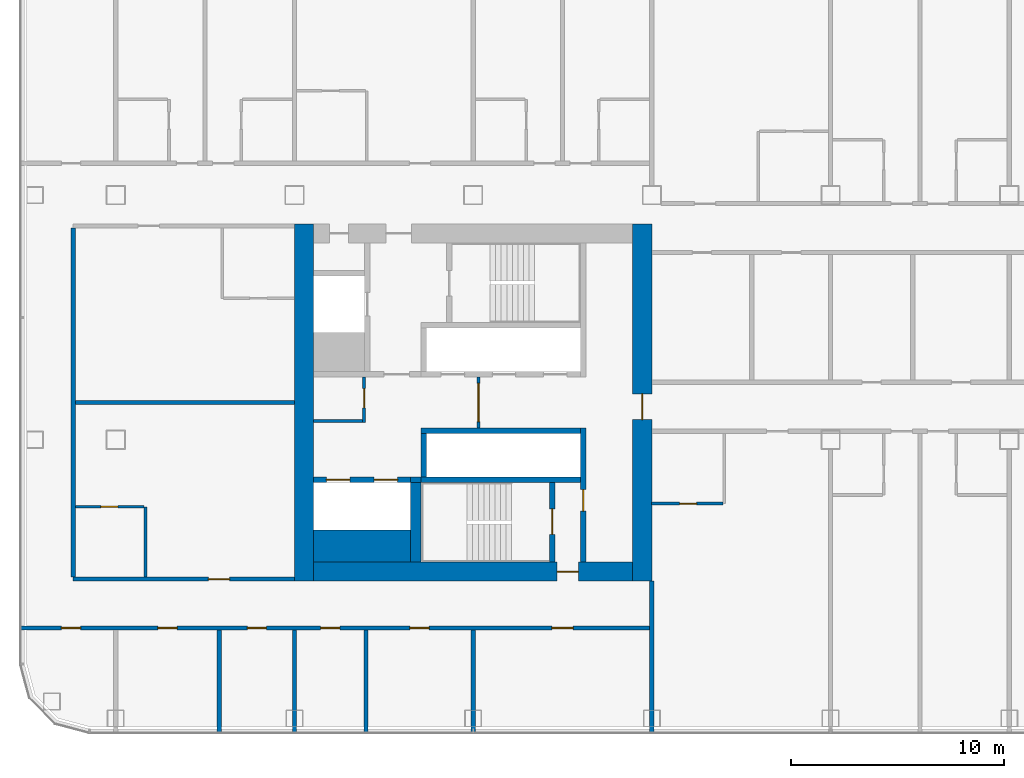
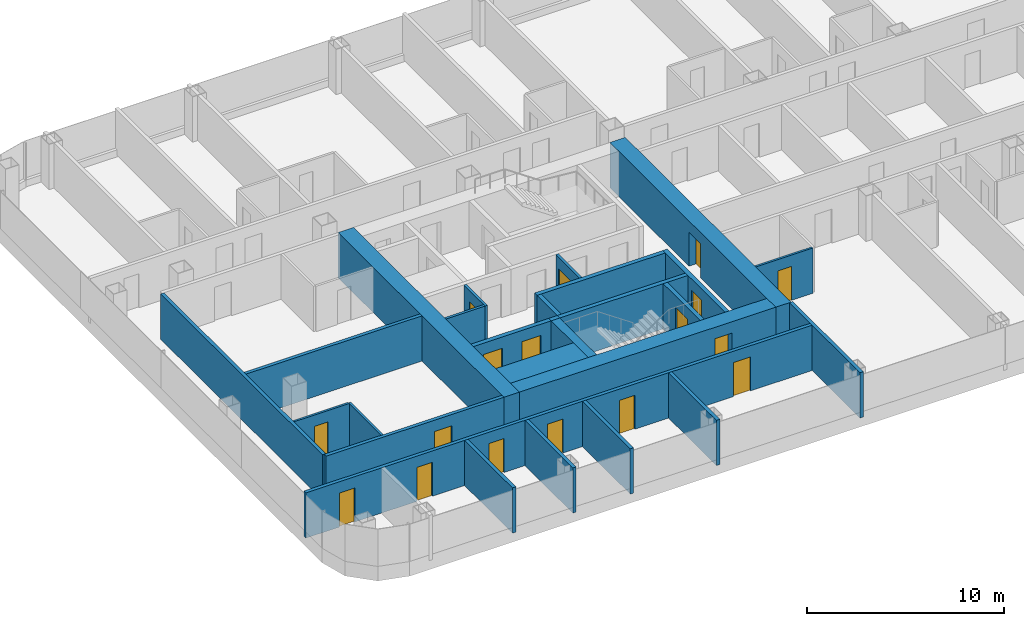
# One storey, part 15 of 29: 27 walls, 17 doors, 17 openings.
"""IFC4 building model written with IfcOpenShell, lengths in metres."""

from ifc_helpers import new_model, si_unit, direction, frame, frame_2d, origin, place, context, subcontext, project, spatial, rectangle, extrude, material, layer, layer_set, type_object, element, fill, save


model = new_model("IFC4")

# Units and contexts
model_context = context("Model", 3, precision=1e-05, world=origin(), true_north=direction((0.0, 1.0)))
body_context = subcontext(model_context, "Body", "Model", "MODEL_VIEW")
ifc_project = project(units=[si_unit("LENGTHUNIT", "METRE"), si_unit("AREAUNIT", "SQUARE_METRE"), si_unit("VOLUMEUNIT", "CUBIC_METRE"), si_unit("PLANEANGLEUNIT", "RADIAN"), si_unit("MASSUNIT", "GRAM", prefix="KILO")], contexts=[model_context])

# Site, building, storey
site_placement = place(None, origin())
site = spatial("IfcSite", under=ifc_project, at=site_placement, CompositionType="ELEMENT")
building_placement = place(site_placement, origin())
building = spatial("IfcBuilding", under=site, at=building_placement, Name="Hakoniwa Tower and Hamabe Station Hall", CompositionType="ELEMENT")
storey_placement = place(building_placement, frame((0.0, 0.0, 113.800048828125)))
storey = spatial("IfcBuildingStorey", under=building, at=storey_placement, Name="L32", CompositionType="ELEMENT", Elevation=113.800048828125)

# Wall, opening, door
ifc_material_1 = material(Name="Gypsum board partition", Category="gypsum")
ifc_layer_1 = layer(ifc_material_1, 0.125)
ifc_layer_set_1 = layer_set([ifc_layer_1], Name="Bathroom Partition 125")
wall_type_1 = type_object("IfcWallType", Name="Bathroom Partition 125", PredefinedType="PARTITIONING", material=ifc_layer_set_1)
wall_1_placement = place(storey_placement, frame((-43.89990234375, -4.89990234375, 0.0), z_axis=(0.0, 0.0, 1.0), x_axis=(1.0, 0.0, 0.0)))
wall_1 = element("IfcWall", 1, at=wall_1_placement, inside=storey, type_object=wall_type_1, Name="GW-L32-005", PredefinedType="PARTITIONING", context=body_context, shape_type="SweptSolid", body=[
    extrude(rectangle(XDim=3.2373046875, YDim=0.125, at=frame_2d((1.61865234375, 0.0))), origin(), (0.0, 0.0, 1.0), 2.800048828125),
])
opening_1_placement = place(wall_1_placement, frame((1.199951171875, 0.0, 0.0)))
opening_1 = element("IfcOpeningElement", 2, at=opening_1_placement, cuts=wall_1, Name="Opening GD-G2C2-14", PredefinedType="OPENING", context=body_context, shape_type="SweptSolid", body=[
    extrude(rectangle(XDim=0.800048828125, YDim=2.10009765625, at=frame_2d((0.39990234375, 1.050048828125))), frame((0.0, 0.072509765625, 0.0), z_axis=(0.0, -1.0, 0.0), x_axis=(1.0, 0.0, 0.0)), (0.0, 0.0, 1.0), 0.14501953125),
])
ifc_material_2 = material(Name="Timber door leaf", Category="wood")
door_type_1 = type_object("IfcDoorType", Name="Bathroom Door 800", OperationType="SINGLE_SWING_LEFT", PredefinedType="DOOR", material=ifc_material_2)
door_1_placement = place(opening_1_placement, origin())
door_1 = element("IfcDoor", 3, at=door_1_placement, inside=storey, type_object=door_type_1, Name="Door GD-G2C2-14", OperationType="SINGLE_SWING_RIGHT", OverallHeight=2.10009765625, OverallWidth=0.800048828125, PredefinedType="DOOR", context=body_context, shape_type="SweptSolid", body=[
    extrude(rectangle(XDim=0.800048828125, YDim=2.10009765625, at=frame_2d((0.39990234375, 1.050048828125))), frame((0.0, 0.02490234375, 0.0), z_axis=(0.0, -1.0, 0.0), x_axis=(1.0, 0.0, 0.0)), (0.0, 0.0, 1.0), 0.050048828125),
])
fill(opening_1, door_1)

wall_2_placement = place(storey_placement, frame((-16.81005859375, -4.75, 0.0), z_axis=(0.0, 0.0, 1.0), x_axis=(1.0, 0.0, 0.0)))
wall_2 = element("IfcWall", 4, at=wall_2_placement, inside=storey, type_object=wall_type_1, Name="GW-L32-007", PredefinedType="PARTITIONING", context=body_context, shape_type="SweptSolid", body=[
    extrude(rectangle(XDim=3.34765625, YDim=0.125, at=frame_2d((1.673828125, 0.0))), origin(), (0.0, 0.0, 1.0), 2.800048828125),
])
opening_2_placement = place(wall_2_placement, frame((1.31005859375, 0.0, 0.0)))
opening_2 = element("IfcOpeningElement", 5, at=opening_2_placement, cuts=wall_2, Name="Opening GD-G2C2-16", PredefinedType="OPENING", context=body_context, shape_type="SweptSolid", body=[
    extrude(rectangle(XDim=0.800048828125, YDim=2.10009765625, at=frame_2d((0.39990234375, 1.050048828125))), frame((0.0, 0.072509765625, 0.0), z_axis=(0.0, -1.0, 0.0), x_axis=(1.0, 0.0, 0.0)), (0.0, 0.0, 1.0), 0.14501953125),
])
door_2_placement = place(opening_2_placement, origin())
door_2 = element("IfcDoor", 6, at=door_2_placement, inside=storey, type_object=door_type_1, Name="Door GD-G2C2-16", OperationType="SINGLE_SWING_LEFT", OverallHeight=2.10009765625, OverallWidth=0.800048828125, PredefinedType="DOOR", context=body_context, shape_type="SweptSolid", body=[
    extrude(rectangle(XDim=0.800048828125, YDim=2.10009765625, at=frame_2d((0.39990234375, 1.050048828125))), frame((0.0, 0.02490234375, 0.0), z_axis=(0.0, -1.0, 0.0), x_axis=(1.0, 0.0, 0.0)), (0.0, 0.0, 1.0), 0.050048828125),
])
fill(opening_2, door_2)

# Wall
wall_3_placement = place(storey_placement, frame((-40.60009765625, -8.199951171875, 0.0), z_axis=(0.0, 0.0, 1.0), x_axis=(0.0, 1.0, 0.0)))
element("IfcWall", 7, at=wall_3_placement, inside=storey, type_object=wall_type_1, Name="GW-L32-039", PredefinedType="PARTITIONING", context=body_context, shape_type="SweptSolid", body=[
    extrude(rectangle(XDim=3.300048828125, YDim=0.125, at=frame_2d((1.64990234375, 0.0))), origin(), (0.0, 0.0, 1.0), 2.800048828125),
])

# Wall, opening, door
ifc_material_3 = material(Name="Gypsum board partition")
ifc_layer_2 = layer(ifc_material_3, 0.14990234375)
ifc_layer_set_2 = layer_set([ifc_layer_2], Name="CORE PARTITION 150 EI 60")
wall_type_2 = type_object("IfcWallType", Name="CORE PARTITION 150 EI 60", PredefinedType="PARTITIONING", material=ifc_layer_set_2)
wall_4_placement = place(storey_placement, frame((-24.949951171875, -1.199951171875, 0.0), z_axis=(0.0, 0.0, 1.0), x_axis=(0.0, 1.0, 0.0)))
wall_4 = element("IfcWall", 8, at=wall_4_placement, inside=storey, type_object=wall_type_2, Name="Core partition PL0 west", PredefinedType="PARTITIONING", context=body_context, shape_type="SweptSolid", body=[
    extrude(rectangle(XDim=2.39990234375, YDim=0.14990234375, at=frame_2d((1.199951171875, 0.0))), origin(), (0.0, 0.0, 1.0), 2.800048828125),
])
opening_3_placement = place(wall_4_placement, frame((0.300048828125, 0.0, 0.0)))
opening_3 = element("IfcOpeningElement", 9, at=opening_3_placement, cuts=wall_4, Name="Opening CD-W-LP0-18", PredefinedType="OPENING", context=body_context, shape_type="SweptSolid", body=[
    extrude(rectangle(XDim=1.800048828125, YDim=2.10009765625, at=frame_2d((0.89990234375, 1.050048828125))), frame((0.0, 0.0849609375, 0.0), z_axis=(0.0, -1.0, 0.0), x_axis=(1.0, 0.0, 0.0)), (0.0, 0.0, 1.0), 0.169921875),
])
ifc_material_4 = material(Name="Steel fire door", Category="steel")
door_type_2 = type_object("IfcDoorType", Name="CORE DOOR 1800 FD60", OperationType="DOUBLE_DOOR_SINGLE_SWING", PredefinedType="DOOR", material=ifc_material_4)
door_3_placement = place(opening_3_placement, origin())
door_3 = element("IfcDoor", 10, at=door_3_placement, inside=storey, type_object=door_type_2, Name="Lift lobby partition door", OperationType="DOUBLE_DOOR_SINGLE_SWING", OverallHeight=2.10009765625, OverallWidth=1.800048828125, PredefinedType="DOOR", context=body_context, shape_type="SweptSolid", body=[
    extrude(rectangle(XDim=1.800048828125, YDim=2.10009765625, at=frame_2d((0.89990234375, 1.050048828125))), frame((0.0, 0.02490234375, 0.0), z_axis=(0.0, -1.0, 0.0), x_axis=(1.0, 0.0, 0.0)), (0.0, 0.0, 1.0), 0.050048828125),
])
fill(opening_3, door_3)

wall_5_placement = place(storey_placement, frame((-30.324951171875, -0.949951171875, 0.0), z_axis=(0.0, 0.0, 1.0), x_axis=(0.0, 1.0, 0.0)))
wall_5 = element("IfcWall", 11, at=wall_5_placement, inside=storey, type_object=wall_type_2, Name="Core partition PW0 west", PredefinedType="PARTITIONING", context=body_context, shape_type="SweptSolid", body=[
    extrude(rectangle(XDim=2.14990234375, YDim=0.14990234375, at=frame_2d((1.074951171875, 0.0))), origin(), (0.0, 0.0, 1.0), 2.800048828125),
])
opening_4_placement = place(wall_5_placement, frame((0.699951171875, 0.0, 0.0)))
opening_4 = element("IfcOpeningElement", 12, at=opening_4_placement, cuts=wall_5, Name="Opening CD-W-RM1-9", PredefinedType="OPENING", context=body_context, shape_type="SweptSolid", body=[
    extrude(rectangle(XDim=0.89990234375, YDim=2.10009765625, at=frame_2d((0.449951171875, 1.050048828125))), frame((0.0, 0.0849609375, 0.0), z_axis=(0.0, -1.0, 0.0), x_axis=(1.0, 0.0, 0.0)), (0.0, 0.0, 1.0), 0.169921875),
])
ifc_material_5 = material(Name="Steel fire door", Category="steel")
door_type_3 = type_object("IfcDoorType", Name="CORE DOOR 900 FD30", OperationType="NOTDEFINED", PredefinedType="DOOR", material=ifc_material_5)
door_4_placement = place(opening_4_placement, origin())
door_4 = element("IfcDoor", 13, at=door_4_placement, inside=storey, type_object=door_type_3, Name="Store room door", OperationType="SINGLE_SWING_RIGHT", OverallHeight=2.10009765625, OverallWidth=0.89990234375, PredefinedType="DOOR", context=body_context, shape_type="SweptSolid", body=[
    extrude(rectangle(XDim=0.89990234375, YDim=2.10009765625, at=frame_2d((0.449951171875, 1.050048828125))), frame((0.0, 0.02490234375, 0.0), z_axis=(0.0, -1.0, 0.0), x_axis=(1.0, 0.0, 0.0)), (0.0, 0.0, 1.0), 0.050048828125),
])
fill(opening_4, door_4)

# Wall
wall_6_placement = place(storey_placement, frame((-32.699951171875, -0.875, 0.0), z_axis=(0.0, 0.0, 1.0), x_axis=(1.0, 0.0, 0.0)))
element("IfcWall", 14, at=wall_6_placement, inside=storey, type_object=wall_type_2, Name="Core partition PS west", PredefinedType="PARTITIONING", context=body_context, shape_type="SweptSolid", body=[
    extrude(rectangle(XDim=2.300048828125, YDim=0.14990234375, at=frame_2d((1.14990234375, 0.0))), origin(), (0.0, 0.0, 1.0), 2.800048828125),
])

# Wall, opening, door
ifc_material_6 = material(Name="Concrete C72", Category="concrete")
ifc_layer_3 = layer(ifc_material_6, 0.89990234375)
ifc_layer_set_3 = layer_set([ifc_layer_3], Name="CORE WALL 900 C72")
wall_type_3 = type_object("IfcWallType", Name="CORE WALL 900 C72", PredefinedType="SHEAR", material=ifc_layer_set_3)
wall_7_placement = place(storey_placement, frame((-17.25, -8.39990234375, 0.0), z_axis=(0.0, 0.0, 1.0), x_axis=(0.0, 1.0, 0.0)))
wall_7 = element("IfcWall", 15, at=wall_7_placement, inside=storey, type_object=wall_type_3, Name="Core wall INNER west", PredefinedType="SHEAR", context=body_context, shape_type="SweptSolid", body=[
    extrude(rectangle(XDim=16.7998046875, YDim=0.89990234375, at=frame_2d((8.39990234375, 0.0))), origin(), (0.0, 0.0, 1.0), 2.800048828125),
])
opening_5_placement = place(wall_7_placement, frame((7.60009765625, 0.0, 0.0)))
opening_5 = element("IfcOpeningElement", 16, at=opening_5_placement, cuts=wall_7, Name="Opening CD-W-IN1-12", PredefinedType="OPENING", context=body_context, shape_type="SweptSolid", body=[
    extrude(rectangle(XDim=1.199951171875, YDim=2.10009765625, at=frame_2d((0.60009765625, 1.050048828125))), frame((0.0, 0.4599609375, 0.0), z_axis=(0.0, -1.0, 0.0), x_axis=(1.0, 0.0, 0.0)), (0.0, 0.0, 1.0), 0.919921875),
])
ifc_material_7 = material(Name="Steel fire door", Category="steel")
door_type_4 = type_object("IfcDoorType", Name="CORE DOOR 1200 FD60", OperationType="DOUBLE_DOOR_SINGLE_SWING", PredefinedType="DOOR", material=ifc_material_7)
door_5_placement = place(opening_5_placement, origin())
door_5 = element("IfcDoor", 17, at=door_5_placement, inside=storey, type_object=door_type_4, Name="Lift lobby door", OperationType="DOUBLE_DOOR_SINGLE_SWING", OverallHeight=2.10009765625, OverallWidth=1.199951171875, PredefinedType="DOOR", context=body_context, shape_type="SweptSolid", body=[
    extrude(rectangle(XDim=1.199951171875, YDim=2.10009765625, at=frame_2d((0.60009765625, 1.050048828125))), frame((0.0, 0.02490234375, 0.0), z_axis=(0.0, -1.0, 0.0), x_axis=(1.0, 0.0, 0.0)), (0.0, 0.0, 1.0), 0.050048828125),
])
fill(opening_5, door_5)

# Wall
wall_8_placement = place(storey_placement, frame((-33.14990234375, -8.39990234375, 0.0), z_axis=(0.0, 0.0, 1.0), x_axis=(0.0, 1.0, 0.0)))
element("IfcWall", 18, at=wall_8_placement, inside=storey, type_object=wall_type_3, Name="Core wall OUTER west", PredefinedType="SHEAR", context=body_context, shape_type="SweptSolid", body=[
    extrude(rectangle(XDim=16.7998046875, YDim=0.89990234375, at=frame_2d((8.39990234375, 0.0))), origin(), (0.0, 0.0, 1.0), 2.800048828125),
])

# Wall, opening, door
wall_9_placement = place(storey_placement, frame((-32.699951171875, -7.949951171875, 0.0), z_axis=(0.0, 0.0, 1.0), x_axis=(1.0, 0.0, 0.0)))
wall_9 = element("IfcWall", 19, at=wall_9_placement, inside=storey, type_object=wall_type_3, Name="Core wall SOUTH west", PredefinedType="SHEAR", context=body_context, shape_type="SweptSolid", body=[
    extrude(rectangle(XDim=15.0, YDim=0.89990234375, at=frame_2d((7.5, 0.0))), origin(), (0.0, 0.0, 1.0), 2.800048828125),
])
opening_6_placement = place(wall_9_placement, frame((11.449951171875, 0.0, 0.0)))
opening_6 = element("IfcOpeningElement", 20, at=opening_6_placement, cuts=wall_9, Name="Opening CD-W-FS3-10", PredefinedType="OPENING", context=body_context, shape_type="SweptSolid", body=[
    extrude(rectangle(XDim=1.0, YDim=2.10009765625, at=frame_2d((0.5, 1.050048828125))), frame((0.0, 0.4599609375, 0.0), z_axis=(0.0, -1.0, 0.0), x_axis=(1.0, 0.0, 0.0)), (0.0, 0.0, 1.0), 0.919921875),
])
ifc_material_8 = material(Name="Steel fire door", Category="steel")
door_type_5 = type_object("IfcDoorType", Name="CORE DOOR 1000 FD60", OperationType="NOTDEFINED", PredefinedType="DOOR", material=ifc_material_8)
door_6_placement = place(opening_6_placement, origin())
door_6 = element("IfcDoor", 21, at=door_6_placement, inside=storey, type_object=door_type_5, Name="Stair vestibule door", OperationType="SINGLE_SWING_RIGHT", OverallHeight=2.10009765625, OverallWidth=1.0, PredefinedType="DOOR", context=body_context, shape_type="SweptSolid", body=[
    extrude(rectangle(XDim=1.0, YDim=2.10009765625, at=frame_2d((0.5, 1.050048828125))), frame((0.0, 0.02490234375, 0.0), z_axis=(0.0, -1.0, 0.0), x_axis=(1.0, 0.0, 0.0)), (0.0, 0.0, 1.0), 0.050048828125),
])
fill(opening_6, door_6)

# Wall
ifc_material_9 = material(Name="Concrete C72", Category="concrete")
ifc_layer_4 = layer(ifc_material_9, 1.5)
ifc_layer_set_4 = layer_set([ifc_layer_4], Name="CORE WEB WALL 1500 C72")
wall_type_4 = type_object("IfcWallType", Name="CORE WEB WALL 1500 C72", PredefinedType="SHEAR", material=ifc_layer_set_4)
wall_10_placement = place(storey_placement, frame((-32.699951171875, -6.75, 0.0), z_axis=(0.0, 0.0, 1.0), x_axis=(1.0, 0.0, 0.0)))
element("IfcWall", 22, at=wall_10_placement, inside=storey, type_object=wall_type_4, Name="Core wall SER west", PredefinedType="SHEAR", context=body_context, shape_type="SweptSolid", body=[
    extrude(rectangle(XDim=4.550048828125, YDim=1.5, at=frame_2d((2.27490234375, 0.0))), origin(), (0.0, 0.0, 1.0), 2.800048828125),
])

# Wall, opening, door
ifc_material_10 = material(Name="Concrete C72", Category="concrete")
ifc_layer_5 = layer(ifc_material_10, 0.25)
ifc_layer_set_5 = layer_set([ifc_layer_5], Name="CORE WEB WALL 250 C72")
wall_type_5 = type_object("IfcWallType", Name="CORE WEB WALL 250 C72", PredefinedType="SHEAR", material=ifc_layer_set_5)
wall_11_placement = place(storey_placement, frame((-20.02490234375, -7.5, 0.0), z_axis=(0.0, 0.0, 1.0), x_axis=(0.0, 1.0, 0.0)))
wall_11 = element("IfcWall", 23, at=wall_11_placement, inside=storey, type_object=wall_type_5, Name="Core wall W1S west", PredefinedType="SHEAR", context=body_context, shape_type="SweptSolid", body=[
    extrude(rectangle(XDim=6.300048828125, YDim=0.25, at=frame_2d((3.14990234375, 0.0))), origin(), (0.0, 0.0, 1.0), 2.800048828125),
])
opening_7_placement = place(wall_11_placement, frame((2.39990234375, 0.0, 0.0)))
opening_7 = element("IfcOpeningElement", 24, at=opening_7_placement, cuts=wall_11, Name="Opening CD-W-VS-10", PredefinedType="OPENING", context=body_context, shape_type="SweptSolid", body=[
    extrude(rectangle(XDim=1.0, YDim=2.10009765625, at=frame_2d((0.5, 1.050048828125))), frame((0.0, 0.135009765625, 0.0), z_axis=(0.0, -1.0, 0.0), x_axis=(1.0, 0.0, 0.0)), (0.0, 0.0, 1.0), 0.27001953125),
])
door_7_placement = place(opening_7_placement, origin())
door_7 = element("IfcDoor", 25, at=door_7_placement, inside=storey, type_object=door_type_5, Name="Stair vestibule door", OperationType="SINGLE_SWING_LEFT", OverallHeight=2.10009765625, OverallWidth=1.0, PredefinedType="DOOR", context=body_context, shape_type="SweptSolid", body=[
    extrude(rectangle(XDim=1.0, YDim=2.10009765625, at=frame_2d((0.5, 1.050048828125))), frame((0.0, 0.02490234375, 0.0), z_axis=(0.0, -1.0, 0.0), x_axis=(1.0, 0.0, 0.0)), (0.0, 0.0, 1.0), 0.050048828125),
])
fill(opening_7, door_7)

# Walls
wall_12_placement = place(storey_placement, frame((-27.64990234375, -1.324951171875, 0.0), z_axis=(0.0, 0.0, 1.0), x_axis=(1.0, 0.0, 0.0)))
element("IfcWall", 26, at=wall_12_placement, inside=storey, type_object=wall_type_5, Name="Core wall SF west", PredefinedType="SHEAR", context=body_context, shape_type="SweptSolid", body=[
    extrude(rectangle(XDim=7.5, YDim=0.25, at=frame_2d((3.75, 0.0))), origin(), (0.0, 0.0, 1.0), 2.800048828125),
])
wall_13_placement = place(storey_placement, frame((-27.52490234375, -3.5, 0.0), z_axis=(0.0, 0.0, 1.0), x_axis=(0.0, 1.0, 0.0)))
element("IfcWall", 27, at=wall_13_placement, inside=storey, type_object=wall_type_5, Name="Core wall SE west", PredefinedType="SHEAR", context=body_context, shape_type="SweptSolid", body=[
    extrude(rectangle(XDim=2.050048828125, YDim=0.25, at=frame_2d((1.02490234375, 0.0))), origin(), (0.0, 0.0, 1.0), 2.800048828125),
])
wall_14_placement = place(storey_placement, frame((-27.64990234375, -3.625, 0.0), z_axis=(0.0, 0.0, 1.0), x_axis=(1.0, 0.0, 0.0)))
element("IfcWall", 28, at=wall_14_placement, inside=storey, type_object=wall_type_5, Name="Core wall SR west", PredefinedType="SHEAR", context=body_context, shape_type="SweptSolid", body=[
    extrude(rectangle(XDim=7.5, YDim=0.25, at=frame_2d((3.75, 0.0))), origin(), (0.0, 0.0, 1.0), 2.800048828125),
])

# Wall, opening, door
wall_15_placement = place(storey_placement, frame((-21.47509765625, -7.5, 0.0), z_axis=(0.0, 0.0, 1.0), x_axis=(0.0, 1.0, 0.0)))
wall_15 = element("IfcWall", 29, at=wall_15_placement, inside=storey, type_object=wall_type_5, Name="Core wall VE west", PredefinedType="SHEAR", context=body_context, shape_type="SweptSolid", body=[
    extrude(rectangle(XDim=3.75, YDim=0.25, at=frame_2d((1.875, 0.0))), origin(), (0.0, 0.0, 1.0), 2.800048828125),
])
opening_8_placement = place(wall_15_placement, frame((1.300048828125, 0.0, 0.0)))
opening_8 = element("IfcOpeningElement", 30, at=opening_8_placement, cuts=wall_15, Name="Opening CD-W-SS-12", PredefinedType="OPENING", context=body_context, shape_type="SweptSolid", body=[
    extrude(rectangle(XDim=1.199951171875, YDim=2.10009765625, at=frame_2d((0.60009765625, 1.050048828125))), frame((0.0, 0.135009765625, 0.0), z_axis=(0.0, -1.0, 0.0), x_axis=(1.0, 0.0, 0.0)), (0.0, 0.0, 1.0), 0.27001953125),
])
door_8_placement = place(opening_8_placement, origin())
door_8 = element("IfcDoor", 31, at=door_8_placement, inside=storey, type_object=door_type_4, Name="Escape stair door", OperationType="DOUBLE_DOOR_SINGLE_SWING", OverallHeight=2.10009765625, OverallWidth=1.199951171875, PredefinedType="DOOR", context=body_context, shape_type="SweptSolid", body=[
    extrude(rectangle(XDim=1.199951171875, YDim=2.10009765625, at=frame_2d((0.60009765625, 1.050048828125))), frame((0.0, 0.02490234375, 0.0), z_axis=(0.0, -1.0, 0.0), x_axis=(1.0, 0.0, 0.0)), (0.0, 0.0, 1.0), 0.050048828125),
])
fill(opening_8, door_8)

# Wall, openings, doors
wall_16_placement = place(storey_placement, frame((-32.699951171875, -3.625, 0.0), z_axis=(0.0, 0.0, 1.0), x_axis=(1.0, 0.0, 0.0)))
wall_16 = element("IfcWall", 32, at=wall_16_placement, inside=storey, type_object=wall_type_5, Name="Core wall SEF west", PredefinedType="SHEAR", context=body_context, shape_type="SweptSolid", body=[
    extrude(rectangle(XDim=4.550048828125, YDim=0.25, at=frame_2d((2.27490234375, 0.0))), origin(), (0.0, 0.0, 1.0), 2.800048828125),
])
opening_9_placement = place(wall_16_placement, frame((2.85009765625, 0.0, 0.0)))
opening_9 = element("IfcOpeningElement", 33, at=opening_9_placement, cuts=wall_16, Name="Opening LD-SV1", PredefinedType="OPENING", context=body_context, shape_type="SweptSolid", body=[
    extrude(rectangle(XDim=1.10009765625, YDim=2.10009765625, at=frame_2d((0.550048828125, 1.050048828125))), frame((0.0, 0.135009765625, 0.0), z_axis=(0.0, -1.0, 0.0), x_axis=(1.0, 0.0, 0.0)), (0.0, 0.0, 1.0), 0.27001953125),
])
opening_10_placement = place(wall_16_placement, frame((0.60009765625, 0.0, 0.0)))
opening_10 = element("IfcOpeningElement", 34, at=opening_10_placement, cuts=wall_16, Name="Opening LD-SV2", PredefinedType="OPENING", context=body_context, shape_type="SweptSolid", body=[
    extrude(rectangle(XDim=1.10009765625, YDim=2.10009765625, at=frame_2d((0.550048828125, 1.050048828125))), frame((0.0, 0.135009765625, 0.0), z_axis=(0.0, -1.0, 0.0), x_axis=(1.0, 0.0, 0.0)), (0.0, 0.0, 1.0), 0.27001953125),
])
ifc_material_11 = material(Name="Stainless steel SUS304", Category="steel")
door_type_6 = type_object("IfcDoorType", Name="LIFT LANDING DOOR 1100 FD60", OperationType="DOUBLE_DOOR_SLIDING", PredefinedType="DOOR", material=ifc_material_11)
door_9_placement = place(opening_9_placement, origin())
door_9 = element("IfcDoor", 35, at=door_9_placement, inside=storey, type_object=door_type_6, Name="Lift landing door SV1 L32", OperationType="DOUBLE_DOOR_SLIDING", OverallHeight=2.10009765625, OverallWidth=1.10009765625, PredefinedType="DOOR", context=body_context, shape_type="SweptSolid", body=[
    extrude(rectangle(XDim=1.10009765625, YDim=2.10009765625, at=frame_2d((0.550048828125, 1.050048828125))), frame((0.0, 0.02490234375, 0.0), z_axis=(0.0, -1.0, 0.0), x_axis=(1.0, 0.0, 0.0)), (0.0, 0.0, 1.0), 0.050048828125),
])
fill(opening_9, door_9)
door_10_placement = place(opening_10_placement, origin())
door_10 = element("IfcDoor", 36, at=door_10_placement, inside=storey, type_object=door_type_6, Name="Lift landing door SV2 L32", OperationType="DOUBLE_DOOR_SLIDING", OverallHeight=2.10009765625, OverallWidth=1.10009765625, PredefinedType="DOOR", context=body_context, shape_type="SweptSolid", body=[
    extrude(rectangle(XDim=1.10009765625, YDim=2.10009765625, at=frame_2d((0.550048828125, 1.050048828125))), frame((0.0, 0.02490234375, 0.0), z_axis=(0.0, -1.0, 0.0), x_axis=(1.0, 0.0, 0.0)), (0.0, 0.0, 1.0), 0.050048828125),
])
fill(opening_10, door_10)

# Walls
wall_17_placement = place(storey_placement, frame((-28.14990234375, -3.625, 0.0), z_axis=(0.0, 0.0, 1.0), x_axis=(1.0, 0.0, 0.0)))
element("IfcWall", 37, at=wall_17_placement, inside=storey, type_object=wall_type_5, Name="Core wall SRK west", PredefinedType="SHEAR", context=body_context, shape_type="SweptSolid", body=[
    extrude(rectangle(XDim=0.5, YDim=0.25, at=frame_2d((0.25, 0.0))), origin(), (0.0, 0.0, 1.0), 2.800048828125),
])
ifc_material_12 = material(Name="Concrete C72", Category="concrete")
ifc_layer_6 = layer(ifc_material_12, 0.5)
ifc_layer_set_6 = layer_set([ifc_layer_6], Name="CORE WEB WALL 500 C72")
wall_type_6 = type_object("IfcWallType", Name="CORE WEB WALL 500 C72", PredefinedType="SHEAR", material=ifc_layer_set_6)
wall_18_placement = place(storey_placement, frame((-27.89990234375, -7.5, 0.0), z_axis=(0.0, 0.0, 1.0), x_axis=(0.0, 1.0, 0.0)))
element("IfcWall", 38, at=wall_18_placement, inside=storey, type_object=wall_type_6, Name="Core wall SSE west", PredefinedType="SHEAR", context=body_context, shape_type="SweptSolid", body=[
    extrude(rectangle(XDim=3.75, YDim=0.5, at=frame_2d((1.875, 0.0))), origin(), (0.0, 0.0, 1.0), 2.800048828125),
])

# Wall, openings, doors
ifc_material_13 = material(Name="Fire-rated gypsum board partition", Category="gypsum")
ifc_layer_7 = layer(ifc_material_13, 0.199951171875)
ifc_layer_set_7 = layer_set([ifc_layer_7], Name="Corridor Wall 200")
wall_type_7 = type_object("IfcWallType", Name="Corridor Wall 200", PredefinedType="PARTITIONING", material=ifc_layer_set_7)
wall_19_placement = place(storey_placement, frame((-46.5, -10.60009765625, 0.0), z_axis=(0.0, 0.0, 1.0), x_axis=(1.0, 0.0, 0.0)))
wall_19 = element("IfcWall", 39, at=wall_19_placement, inside=storey, type_object=wall_type_7, Name="GW-L32-001", PredefinedType="PARTITIONING", context=body_context, shape_type="SweptSolid", body=[
    extrude(rectangle(XDim=29.699951171875, YDim=0.199951171875, at=frame_2d((14.85009765625, 0.0))), origin(), (0.0, 0.0, 1.0), 2.800048828125),
])
opening_11_placement = place(wall_19_placement, frame((1.949951171875, 0.0, 0.0)))
opening_11 = element("IfcOpeningElement", 40, at=opening_11_placement, cuts=wall_19, Name="Opening GD-G2C2-01", PredefinedType="OPENING", context=body_context, shape_type="SweptSolid", body=[
    extrude(rectangle(XDim=0.89990234375, YDim=2.10009765625, at=frame_2d((0.449951171875, 1.050048828125))), frame((0.0, 0.10986328125, 0.0), z_axis=(0.0, -1.0, 0.0), x_axis=(1.0, 0.0, 0.0)), (0.0, 0.0, 1.0), 0.219970703125),
])
opening_12_placement = place(wall_19_placement, frame((6.485107421875, 0.0, 0.0)))
opening_12 = element("IfcOpeningElement", 41, at=opening_12_placement, cuts=wall_19, Name="Opening GD-G2C2-02", PredefinedType="OPENING", context=body_context, shape_type="SweptSolid", body=[
    extrude(rectangle(XDim=0.89990234375, YDim=2.10009765625, at=frame_2d((0.449951171875, 1.050048828125))), frame((0.0, 0.10986328125, 0.0), z_axis=(0.0, -1.0, 0.0), x_axis=(1.0, 0.0, 0.0)), (0.0, 0.0, 1.0), 0.219970703125),
])
opening_13_placement = place(wall_19_placement, frame((10.68505859375, 0.0, 0.0)))
opening_13 = element("IfcOpeningElement", 42, at=opening_13_placement, cuts=wall_19, Name="Opening GD-G2C2-03", PredefinedType="OPENING", context=body_context, shape_type="SweptSolid", body=[
    extrude(rectangle(XDim=0.89990234375, YDim=2.10009765625, at=frame_2d((0.449951171875, 1.050048828125))), frame((0.0, 0.10986328125, 0.0), z_axis=(0.0, -1.0, 0.0), x_axis=(1.0, 0.0, 0.0)), (0.0, 0.0, 1.0), 0.219970703125),
])
opening_14_placement = place(wall_19_placement, frame((14.1298828125, 0.0, 0.0)))
opening_14 = element("IfcOpeningElement", 43, at=opening_14_placement, cuts=wall_19, Name="Opening GD-G2C2-04", PredefinedType="OPENING", context=body_context, shape_type="SweptSolid", body=[
    extrude(rectangle(XDim=0.89990234375, YDim=2.10009765625, at=frame_2d((0.449951171875, 1.050048828125))), frame((0.0, 0.10986328125, 0.0), z_axis=(0.0, -1.0, 0.0), x_axis=(1.0, 0.0, 0.0)), (0.0, 0.0, 1.0), 0.219970703125),
])
opening_15_placement = place(wall_19_placement, frame((18.330078125, 0.0, 0.0)))
opening_15 = element("IfcOpeningElement", 44, at=opening_15_placement, cuts=wall_19, Name="Opening GD-G2C2-05", PredefinedType="OPENING", context=body_context, shape_type="SweptSolid", body=[
    extrude(rectangle(XDim=0.89990234375, YDim=2.10009765625, at=frame_2d((0.449951171875, 1.050048828125))), frame((0.0, 0.10986328125, 0.0), z_axis=(0.0, -1.0, 0.0), x_axis=(1.0, 0.0, 0.0)), (0.0, 0.0, 1.0), 0.219970703125),
])
opening_16_placement = place(wall_19_placement, frame((25.0, 0.0, 0.0)))
opening_16 = element("IfcOpeningElement", 45, at=opening_16_placement, cuts=wall_19, Name="Opening GD-G2C2-06", PredefinedType="OPENING", context=body_context, shape_type="SweptSolid", body=[
    extrude(rectangle(XDim=1.0, YDim=2.10009765625, at=frame_2d((0.5, 1.050048828125))), frame((0.0, 0.10986328125, 0.0), z_axis=(0.0, -1.0, 0.0), x_axis=(1.0, 0.0, 0.0)), (0.0, 0.0, 1.0), 0.219970703125),
])
ifc_material_14 = material(Name="Timber door leaf", Category="wood")
door_type_7 = type_object("IfcDoorType", Name="Guest Entrance Door 1000", OperationType="SINGLE_SWING_LEFT", PredefinedType="DOOR", material=ifc_material_14)
door_11_placement = place(opening_16_placement, origin())
door_11 = element("IfcDoor", 46, at=door_11_placement, inside=storey, type_object=door_type_7, Name="Door GD-G2C2-06", OperationType="SINGLE_SWING_LEFT", OverallHeight=2.10009765625, OverallWidth=1.0, PredefinedType="DOOR", context=body_context, shape_type="SweptSolid", body=[
    extrude(rectangle(XDim=1.0, YDim=2.10009765625, at=frame_2d((0.5, 1.050048828125))), frame((0.0, 0.02490234375, 0.0), z_axis=(0.0, -1.0, 0.0), x_axis=(1.0, 0.0, 0.0)), (0.0, 0.0, 1.0), 0.050048828125),
])
fill(opening_16, door_11)
ifc_material_15 = material(Name="Timber door leaf", Category="wood")
door_type_8 = type_object("IfcDoorType", Name="Service Door 900", OperationType="SINGLE_SWING_LEFT", PredefinedType="DOOR", material=ifc_material_15)
door_12_placement = place(opening_11_placement, origin())
door_12 = element("IfcDoor", 47, at=door_12_placement, inside=storey, type_object=door_type_8, Name="Door GD-G2C2-01", OperationType="SINGLE_SWING_RIGHT", OverallHeight=2.10009765625, OverallWidth=0.89990234375, PredefinedType="DOOR", context=body_context, shape_type="SweptSolid", body=[
    extrude(rectangle(XDim=0.89990234375, YDim=2.10009765625, at=frame_2d((0.449951171875, 1.050048828125))), frame((0.0, 0.02490234375, 0.0), z_axis=(0.0, -1.0, 0.0), x_axis=(1.0, 0.0, 0.0)), (0.0, 0.0, 1.0), 0.050048828125),
])
fill(opening_11, door_12)
door_13_placement = place(opening_12_placement, origin())
door_13 = element("IfcDoor", 48, at=door_13_placement, inside=storey, type_object=door_type_8, Name="Door GD-G2C2-02", OperationType="SINGLE_SWING_LEFT", OverallHeight=2.10009765625, OverallWidth=0.89990234375, PredefinedType="DOOR", context=body_context, shape_type="SweptSolid", body=[
    extrude(rectangle(XDim=0.89990234375, YDim=2.10009765625, at=frame_2d((0.449951171875, 1.050048828125))), frame((0.0, 0.02490234375, 0.0), z_axis=(0.0, -1.0, 0.0), x_axis=(1.0, 0.0, 0.0)), (0.0, 0.0, 1.0), 0.050048828125),
])
fill(opening_12, door_13)
door_14_placement = place(opening_13_placement, origin())
door_14 = element("IfcDoor", 49, at=door_14_placement, inside=storey, type_object=door_type_8, Name="Door GD-G2C2-03", OperationType="SINGLE_SWING_RIGHT", OverallHeight=2.10009765625, OverallWidth=0.89990234375, PredefinedType="DOOR", context=body_context, shape_type="SweptSolid", body=[
    extrude(rectangle(XDim=0.89990234375, YDim=2.10009765625, at=frame_2d((0.449951171875, 1.050048828125))), frame((0.0, 0.02490234375, 0.0), z_axis=(0.0, -1.0, 0.0), x_axis=(1.0, 0.0, 0.0)), (0.0, 0.0, 1.0), 0.050048828125),
])
fill(opening_13, door_14)
door_15_placement = place(opening_14_placement, origin())
door_15 = element("IfcDoor", 50, at=door_15_placement, inside=storey, type_object=door_type_8, Name="Door GD-G2C2-04", OperationType="SINGLE_SWING_LEFT", OverallHeight=2.10009765625, OverallWidth=0.89990234375, PredefinedType="DOOR", context=body_context, shape_type="SweptSolid", body=[
    extrude(rectangle(XDim=0.89990234375, YDim=2.10009765625, at=frame_2d((0.449951171875, 1.050048828125))), frame((0.0, 0.02490234375, 0.0), z_axis=(0.0, -1.0, 0.0), x_axis=(1.0, 0.0, 0.0)), (0.0, 0.0, 1.0), 0.050048828125),
])
fill(opening_14, door_15)
door_16_placement = place(opening_15_placement, origin())
door_16 = element("IfcDoor", 51, at=door_16_placement, inside=storey, type_object=door_type_8, Name="Door GD-G2C2-05", OperationType="SINGLE_SWING_RIGHT", OverallHeight=2.10009765625, OverallWidth=0.89990234375, PredefinedType="DOOR", context=body_context, shape_type="SweptSolid", body=[
    extrude(rectangle(XDim=0.89990234375, YDim=2.10009765625, at=frame_2d((0.449951171875, 1.050048828125))), frame((0.0, 0.02490234375, 0.0), z_axis=(0.0, -1.0, 0.0), x_axis=(1.0, 0.0, 0.0)), (0.0, 0.0, 1.0), 0.050048828125),
])
fill(opening_15, door_16)

# Wall, opening, door
wall_20_placement = place(storey_placement, frame((-44.0, -8.300048828125, 0.0), z_axis=(0.0, 0.0, 1.0), x_axis=(1.0, 0.0, 0.0)))
wall_20 = element("IfcWall", 52, at=wall_20_placement, inside=storey, type_object=wall_type_7, Name="GW-L32-003", PredefinedType="PARTITIONING", context=body_context, shape_type="SweptSolid", body=[
    extrude(rectangle(XDim=10.39990234375, YDim=0.199951171875, at=frame_2d((5.199951171875, 0.0))), origin(), (0.0, 0.0, 1.0), 2.800048828125),
])
opening_17_placement = place(wall_20_placement, frame((6.35009765625, 0.0, 0.0)))
opening_17 = element("IfcOpeningElement", 53, at=opening_17_placement, cuts=wall_20, Name="Opening GD-G2C2-12", PredefinedType="OPENING", context=body_context, shape_type="SweptSolid", body=[
    extrude(rectangle(XDim=1.0, YDim=2.10009765625, at=frame_2d((0.5, 1.050048828125))), frame((0.0, 0.10986328125, 0.0), z_axis=(0.0, -1.0, 0.0), x_axis=(1.0, 0.0, 0.0)), (0.0, 0.0, 1.0), 0.219970703125),
])
door_17_placement = place(opening_17_placement, origin())
door_17 = element("IfcDoor", 54, at=door_17_placement, inside=storey, type_object=door_type_7, Name="Door GD-G2C2-12", OperationType="SINGLE_SWING_LEFT", OverallHeight=2.10009765625, OverallWidth=1.0, PredefinedType="DOOR", context=body_context, shape_type="SweptSolid", body=[
    extrude(rectangle(XDim=1.0, YDim=2.10009765625, at=frame_2d((0.5, 1.050048828125))), frame((0.0, 0.02490234375, 0.0), z_axis=(0.0, -1.0, 0.0), x_axis=(1.0, 0.0, 0.0)), (0.0, 0.0, 1.0), 0.050048828125),
])
fill(opening_17, door_17)

# Walls
ifc_material_16 = material(Name="Fire-rated gypsum board partition", Category="gypsum")
ifc_layer_8 = layer(ifc_material_16, 0.199951171875)
ifc_layer_set_8 = layer_set([ifc_layer_8], Name="Party Wall 200")
wall_type_8 = type_object("IfcWallType", Name="Party Wall 200", PredefinedType="PARTITIONING", material=ifc_layer_set_8)
wall_21_placement = place(storey_placement, frame((-43.89990234375, 0.0, 0.0), z_axis=(0.0, 0.0, 1.0), x_axis=(1.0, 0.0, 0.0)))
element("IfcWall", 55, at=wall_21_placement, inside=storey, type_object=wall_type_8, Name="GW-L32-013", PredefinedType="PARTITIONING", context=body_context, shape_type="SweptSolid", body=[
    extrude(rectangle(XDim=10.2998046875, YDim=0.199951171875, at=frame_2d((5.14990234375, 0.0))), origin(), (0.0, 0.0, 1.0), 2.800048828125),
])
wall_22_placement = place(storey_placement, frame((-44.0, -8.199951171875, 0.0), z_axis=(0.0, 0.0, 1.0), x_axis=(0.0, 1.0, 0.0)))
element("IfcWall", 56, at=wall_22_placement, inside=storey, type_object=wall_type_8, Name="GW-L32-036", PredefinedType="PARTITIONING", context=body_context, shape_type="SweptSolid", body=[
    extrude(rectangle(XDim=16.39990234375, YDim=0.199951171875, at=frame_2d((8.199951171875, 0.0))), origin(), (0.0, 0.0, 1.0), 2.800048828125),
])
for number, where, z_axis, x_axis, name in (
    (57, (-37.1298828125, -15.550048828125, 0.0), (0.0, 0.0, 1.0), (0.0, 1.0, 0.0), "GW-L32-042"),
    (58, (-33.60009765625, -15.550048828125, 0.0), (0.0, 0.0, 1.0), (0.0, 1.0, 0.0), "GW-L32-045"),
    (59, (-30.239990234375, -15.550048828125, 0.0), (0.0, 0.0, 1.0), (0.0, 1.0, 0.0), "GW-L32-047"),
    (60, (-25.199951171875, -15.550048828125, 0.0), (0.0, 0.0, 1.0), (0.0, 1.0, 0.0), "GW-L32-049"),
):
    element("IfcWall", number, at=place(storey_placement, frame(where, z_axis=z_axis, x_axis=x_axis)), inside=storey, type_object=wall_type_8, Name=name, PredefinedType="PARTITIONING", context=body_context, shape_type="SweptSolid", body=[
        extrude(rectangle(XDim=4.85009765625, YDim=0.199951171875, at=frame_2d((2.425048828125, 0.0))), origin(), (0.0, 0.0, 1.0), 2.800048828125),
    ])
wall_23_placement = place(storey_placement, frame((-16.800048828125, -15.550048828125, 0.0), z_axis=(0.0, 0.0, 1.0), x_axis=(0.0, 1.0, 0.0)))
element("IfcWall", 61, at=wall_23_placement, inside=storey, type_object=wall_type_8, Name="GW-L32-054", PredefinedType="PARTITIONING", context=body_context, shape_type="SweptSolid", body=[
    extrude(rectangle(XDim=7.16015625, YDim=0.199951171875, at=frame_2d((3.580078125, 0.0))), origin(), (0.0, 0.0, 1.0), 2.800048828125),
])

save(model, "model.ifc")
